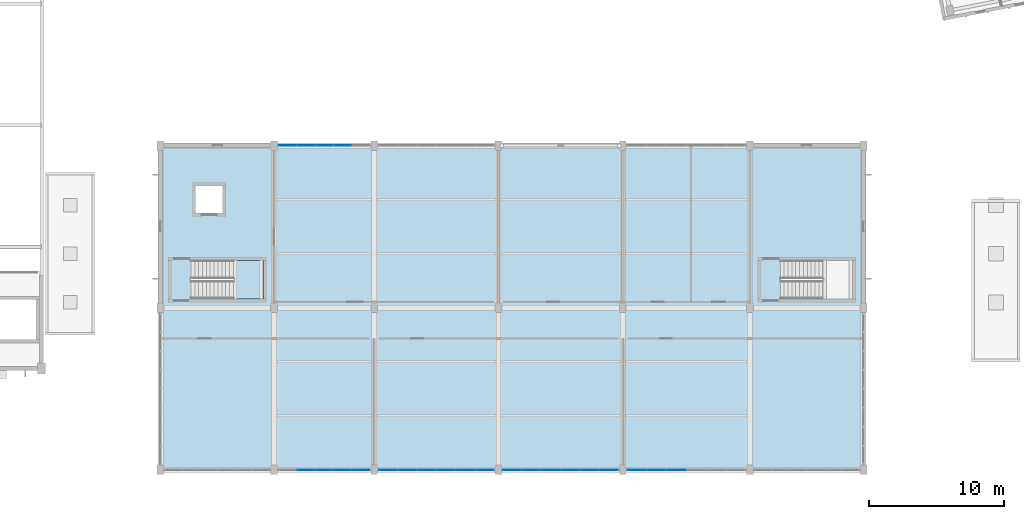
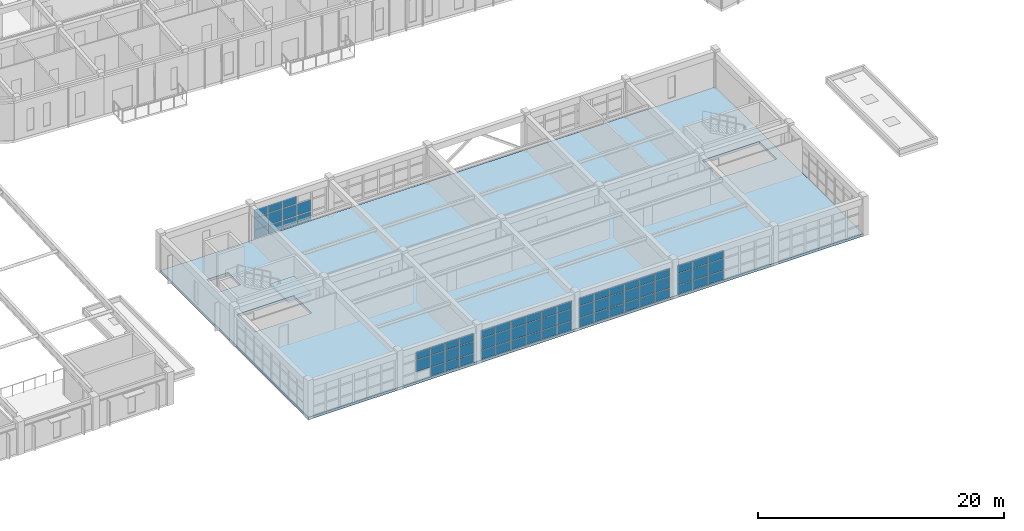
# One storey, part 69 of 150: 67 plates, 2 slabs, 6 elements without a shape of their own.
"""IFC4 building model written with IfcOpenShell, lengths in metres."""

from ifc_helpers import new_model, si_unit, direction, frame, origin, origin_2d, place, context, subcontext, project, spatial, polyline, rectangle, outline, extrude, material, layer, layer_set, type_object, element, aggregate, save


model = new_model("IFC4")

# Units and contexts
model_context = context("Model", 3, precision=1e-05, world=origin(), true_north=direction((0.0, 1.0)))
body_context = subcontext(model_context, "Body", "Model", "MODEL_VIEW")
ifc_project = project(units=[si_unit("LENGTHUNIT", "METRE"), si_unit("AREAUNIT", "SQUARE_METRE"), si_unit("VOLUMEUNIT", "CUBIC_METRE"), si_unit("PLANEANGLEUNIT", "RADIAN"), si_unit("MASSUNIT", "GRAM", prefix="KILO")], contexts=[model_context])

# Site, building, storey
site_placement = place(None, origin())
site = spatial("IfcSite", under=ifc_project, at=site_placement, CompositionType="ELEMENT")
building_placement = place(site_placement, origin())
building = spatial("IfcBuilding", under=site, at=building_placement, Name="Kestramere Prow Commons", CompositionType="ELEMENT")
storey_placement = place(building_placement, frame((0.0, 0.0, 4.5)))
storey = spatial("IfcBuildingStorey", under=building, at=storey_placement, Name="L01", CompositionType="ELEMENT", Elevation=4.5)

# Curtain wall, plates
ifc_material_1 = material(Name="Anodised Aluminium and Low-E Glass", Category="aluminium")
curtain_wall_type_1 = type_object("IfcCurtainWallType", Name="CW-24 Glazed Curtain Wall 6800x2990", PredefinedType="USERDEFINED", material=ifc_material_1)
curtain_wall_1_placement = place(storey_placement, origin())
curtain_wall_1 = element("IfcCurtainWall", 1, at=curtain_wall_1_placement, inside=storey, type_object=curtain_wall_type_1, Name="Market L01 South Shopfront 2", ObjectType="GLAZED CURTAIN WALL", PredefinedType="USERDEFINED")
ifc_material_2 = material(Name="Low-E Laminated Double Glazing", Category="glass")
ifc_layer_1 = layer(ifc_material_2, 0.028076171875)
ifc_layer_set_1 = layer_set([ifc_layer_1], Name="Low-E Laminated Double Glazing")
plate_type = type_object("IfcPlateType", Name="CW-PNL-28", PredefinedType="CURTAIN_PANEL", material=ifc_layer_set_1)
plate_1_placement = place(storey_placement, frame((74.8037109375, 0.0, 0.06494140625), z_axis=(0.0, 0.0, 1.0), x_axis=(-1.0, 0.0, 0.0)))
plate_1 = element("IfcPlate", 2, at=plate_1_placement, type_object=plate_type, Name="CW-24 panel 1.1", PredefinedType="CURTAIN_PANEL", context=body_context, shape_type="SweptSolid", body=[
    extrude(rectangle(XDim=1.262451171875, YDim=0.028076171875, at=origin_2d()), origin(), (0.0, 0.0, 1.0), 0.8525390625),
])
plate_2_placement = place(storey_placement, frame((74.8037109375, 0.0, 0.982421875), z_axis=(0.0, 0.0, 1.0), x_axis=(-1.0, 0.0, 0.0)))
plate_2 = element("IfcPlate", 3, at=plate_2_placement, type_object=plate_type, Name="CW-24 panel 1.2", PredefinedType="CURTAIN_PANEL", context=body_context, shape_type="SweptSolid", body=[
    extrude(rectangle(XDim=1.262451171875, YDim=0.028076171875, at=origin_2d()), origin(), (0.0, 0.0, 1.0), 1.125),
])
plate_3_placement = place(storey_placement, frame((74.8037109375, 0.0, 2.172607421875), z_axis=(0.0, 0.0, 1.0), x_axis=(-1.0, 0.0, 0.0)))
plate_3 = element("IfcPlate", 4, at=plate_3_placement, type_object=plate_type, Name="CW-24 panel 1.3", PredefinedType="CURTAIN_PANEL", context=body_context, shape_type="SweptSolid", body=[
    extrude(rectangle(XDim=1.262451171875, YDim=0.028076171875, at=origin_2d()), origin(), (0.0, 0.0, 1.0), 0.75244140625),
])
plate_4_placement = place(storey_placement, frame((73.4599609375, 0.0, 0.06494140625), z_axis=(0.0, 0.0, 1.0), x_axis=(-1.0, 0.0, 0.0)))
plate_4 = element("IfcPlate", 5, at=plate_4_placement, type_object=plate_type, Name="CW-24 panel 2.1", PredefinedType="CURTAIN_PANEL", context=body_context, shape_type="SweptSolid", body=[
    extrude(rectangle(XDim=1.294921875, YDim=0.028076171875, at=origin_2d()), origin(), (0.0, 0.0, 1.0), 0.8525390625),
])
plate_5_placement = place(storey_placement, frame((73.4599609375, 0.0, 0.982421875), z_axis=(0.0, 0.0, 1.0), x_axis=(-1.0, 0.0, 0.0)))
plate_5 = element("IfcPlate", 6, at=plate_5_placement, type_object=plate_type, Name="CW-24 panel 2.2", PredefinedType="CURTAIN_PANEL", context=body_context, shape_type="SweptSolid", body=[
    extrude(rectangle(XDim=1.294921875, YDim=0.028076171875, at=origin_2d()), origin(), (0.0, 0.0, 1.0), 1.125),
])
plate_6_placement = place(storey_placement, frame((73.4599609375, 0.0, 2.172607421875), z_axis=(0.0, 0.0, 1.0), x_axis=(-1.0, 0.0, 0.0)))
plate_6 = element("IfcPlate", 7, at=plate_6_placement, type_object=plate_type, Name="CW-24 panel 2.3", PredefinedType="CURTAIN_PANEL", context=body_context, shape_type="SweptSolid", body=[
    extrude(rectangle(XDim=1.294921875, YDim=0.028076171875, at=origin_2d()), origin(), (0.0, 0.0, 1.0), 0.75244140625),
])
plate_7_placement = place(storey_placement, frame((72.10009765625, 0.0, 0.06494140625), z_axis=(0.0, 0.0, 1.0), x_axis=(-1.0, 0.0, 0.0)))
plate_7 = element("IfcPlate", 8, at=plate_7_placement, type_object=plate_type, Name="CW-24 panel 3.1", PredefinedType="CURTAIN_PANEL", context=body_context, shape_type="SweptSolid", body=[
    extrude(rectangle(XDim=1.294921875, YDim=0.028076171875, at=origin_2d()), origin(), (0.0, 0.0, 1.0), 0.8525390625),
])
plate_8_placement = place(storey_placement, frame((72.10009765625, 0.0, 0.982421875), z_axis=(0.0, 0.0, 1.0), x_axis=(-1.0, 0.0, 0.0)))
plate_8 = element("IfcPlate", 9, at=plate_8_placement, type_object=plate_type, Name="CW-24 panel 3.2", PredefinedType="CURTAIN_PANEL", context=body_context, shape_type="SweptSolid", body=[
    extrude(rectangle(XDim=1.294921875, YDim=0.028076171875, at=origin_2d()), origin(), (0.0, 0.0, 1.0), 1.125),
])
plate_9_placement = place(storey_placement, frame((72.10009765625, 0.0, 2.172607421875), z_axis=(0.0, 0.0, 1.0), x_axis=(-1.0, 0.0, 0.0)))
plate_9 = element("IfcPlate", 10, at=plate_9_placement, type_object=plate_type, Name="CW-24 panel 3.3", PredefinedType="CURTAIN_PANEL", context=body_context, shape_type="SweptSolid", body=[
    extrude(rectangle(XDim=1.294921875, YDim=0.028076171875, at=origin_2d()), origin(), (0.0, 0.0, 1.0), 0.75244140625),
])
plate_10_placement = place(storey_placement, frame((70.739990234375, 0.0, 0.982421875), z_axis=(0.0, 0.0, 1.0), x_axis=(-1.0, 0.0, 0.0)))
plate_10 = element("IfcPlate", 11, at=plate_10_placement, type_object=plate_type, Name="CW-24 panel 4.2", PredefinedType="CURTAIN_PANEL", context=body_context, shape_type="SweptSolid", body=[
    extrude(rectangle(XDim=1.294921875, YDim=0.028076171875, at=origin_2d()), origin(), (0.0, 0.0, 1.0), 1.125),
])
plate_11_placement = place(storey_placement, frame((70.739990234375, 0.0, 2.172607421875), z_axis=(0.0, 0.0, 1.0), x_axis=(-1.0, 0.0, 0.0)))
plate_11 = element("IfcPlate", 12, at=plate_11_placement, type_object=plate_type, Name="CW-24 panel 4.3", PredefinedType="CURTAIN_PANEL", context=body_context, shape_type="SweptSolid", body=[
    extrude(rectangle(XDim=1.294921875, YDim=0.028076171875, at=origin_2d()), origin(), (0.0, 0.0, 1.0), 0.75244140625),
])
aggregate(curtain_wall_1, [plate_1, plate_2, plate_3, plate_4, plate_5, plate_6, plate_7, plate_8, plate_9, plate_10, plate_11])

curtain_wall_2_placement = place(storey_placement, origin())
curtain_wall_2 = element("IfcCurtainWall", 13, at=curtain_wall_2_placement, inside=storey, type_object=curtain_wall_type_1, Name="Market L01 Courtyard Shopfront 2", ObjectType="GLAZED CURTAIN WALL", PredefinedType="USERDEFINED")
plate_12_placement = place(storey_placement, frame((69.396240234375, 24.0, 0.06494140625), z_axis=(0.0, 0.0, 1.0), x_axis=(1.0, 0.0, 0.0)))
plate_12 = element("IfcPlate", 14, at=plate_12_placement, type_object=plate_type, Name="CW-24 panel 1.1", PredefinedType="CURTAIN_PANEL", context=body_context, shape_type="SweptSolid", body=[
    extrude(rectangle(XDim=1.262451171875, YDim=0.028076171875, at=origin_2d()), origin(), (0.0, 0.0, 1.0), 0.8525390625),
])
plate_13_placement = place(storey_placement, frame((69.396240234375, 24.0, 0.982421875), z_axis=(0.0, 0.0, 1.0), x_axis=(1.0, 0.0, 0.0)))
plate_13 = element("IfcPlate", 15, at=plate_13_placement, type_object=plate_type, Name="CW-24 panel 1.2", PredefinedType="CURTAIN_PANEL", context=body_context, shape_type="SweptSolid", body=[
    extrude(rectangle(XDim=1.262451171875, YDim=0.028076171875, at=origin_2d()), origin(), (0.0, 0.0, 1.0), 1.125),
])
plate_14_placement = place(storey_placement, frame((69.396240234375, 24.0, 2.172607421875), z_axis=(0.0, 0.0, 1.0), x_axis=(1.0, 0.0, 0.0)))
plate_14 = element("IfcPlate", 16, at=plate_14_placement, type_object=plate_type, Name="CW-24 panel 1.3", PredefinedType="CURTAIN_PANEL", context=body_context, shape_type="SweptSolid", body=[
    extrude(rectangle(XDim=1.262451171875, YDim=0.028076171875, at=origin_2d()), origin(), (0.0, 0.0, 1.0), 0.75244140625),
])
plate_15_placement = place(storey_placement, frame((70.739990234375, 24.0, 0.06494140625), z_axis=(0.0, 0.0, 1.0), x_axis=(1.0, 0.0, 0.0)))
plate_15 = element("IfcPlate", 17, at=plate_15_placement, type_object=plate_type, Name="CW-24 panel 2.1", PredefinedType="CURTAIN_PANEL", context=body_context, shape_type="SweptSolid", body=[
    extrude(rectangle(XDim=1.294921875, YDim=0.028076171875, at=origin_2d()), origin(), (0.0, 0.0, 1.0), 0.8525390625),
])
plate_16_placement = place(storey_placement, frame((70.739990234375, 24.0, 0.982421875), z_axis=(0.0, 0.0, 1.0), x_axis=(1.0, 0.0, 0.0)))
plate_16 = element("IfcPlate", 18, at=plate_16_placement, type_object=plate_type, Name="CW-24 panel 2.2", PredefinedType="CURTAIN_PANEL", context=body_context, shape_type="SweptSolid", body=[
    extrude(rectangle(XDim=1.294921875, YDim=0.028076171875, at=origin_2d()), origin(), (0.0, 0.0, 1.0), 1.125),
])
plate_17_placement = place(storey_placement, frame((70.739990234375, 24.0, 2.172607421875), z_axis=(0.0, 0.0, 1.0), x_axis=(1.0, 0.0, 0.0)))
plate_17 = element("IfcPlate", 19, at=plate_17_placement, type_object=plate_type, Name="CW-24 panel 2.3", PredefinedType="CURTAIN_PANEL", context=body_context, shape_type="SweptSolid", body=[
    extrude(rectangle(XDim=1.294921875, YDim=0.028076171875, at=origin_2d()), origin(), (0.0, 0.0, 1.0), 0.75244140625),
])
plate_18_placement = place(storey_placement, frame((72.10009765625, 24.0, 0.06494140625), z_axis=(0.0, 0.0, 1.0), x_axis=(1.0, 0.0, 0.0)))
plate_18 = element("IfcPlate", 20, at=plate_18_placement, type_object=plate_type, Name="CW-24 panel 3.1", PredefinedType="CURTAIN_PANEL", context=body_context, shape_type="SweptSolid", body=[
    extrude(rectangle(XDim=1.294921875, YDim=0.028076171875, at=origin_2d()), origin(), (0.0, 0.0, 1.0), 0.8525390625),
])
plate_19_placement = place(storey_placement, frame((72.10009765625, 24.0, 0.982421875), z_axis=(0.0, 0.0, 1.0), x_axis=(1.0, 0.0, 0.0)))
plate_19 = element("IfcPlate", 21, at=plate_19_placement, type_object=plate_type, Name="CW-24 panel 3.2", PredefinedType="CURTAIN_PANEL", context=body_context, shape_type="SweptSolid", body=[
    extrude(rectangle(XDim=1.294921875, YDim=0.028076171875, at=origin_2d()), origin(), (0.0, 0.0, 1.0), 1.125),
])
plate_20_placement = place(storey_placement, frame((72.10009765625, 24.0, 2.172607421875), z_axis=(0.0, 0.0, 1.0), x_axis=(1.0, 0.0, 0.0)))
plate_20 = element("IfcPlate", 22, at=plate_20_placement, type_object=plate_type, Name="CW-24 panel 3.3", PredefinedType="CURTAIN_PANEL", context=body_context, shape_type="SweptSolid", body=[
    extrude(rectangle(XDim=1.294921875, YDim=0.028076171875, at=origin_2d()), origin(), (0.0, 0.0, 1.0), 0.75244140625),
])
plate_21_placement = place(storey_placement, frame((73.4599609375, 24.0, 0.06494140625), z_axis=(0.0, 0.0, 1.0), x_axis=(1.0, 0.0, 0.0)))
plate_21 = element("IfcPlate", 23, at=plate_21_placement, type_object=plate_type, Name="CW-24 panel 4.1", PredefinedType="CURTAIN_PANEL", context=body_context, shape_type="SweptSolid", body=[
    extrude(rectangle(XDim=1.294921875, YDim=0.028076171875, at=origin_2d()), origin(), (0.0, 0.0, 1.0), 0.8525390625),
])
plate_22_placement = place(storey_placement, frame((73.4599609375, 24.0, 0.982421875), z_axis=(0.0, 0.0, 1.0), x_axis=(1.0, 0.0, 0.0)))
plate_22 = element("IfcPlate", 24, at=plate_22_placement, type_object=plate_type, Name="CW-24 panel 4.2", PredefinedType="CURTAIN_PANEL", context=body_context, shape_type="SweptSolid", body=[
    extrude(rectangle(XDim=1.294921875, YDim=0.028076171875, at=origin_2d()), origin(), (0.0, 0.0, 1.0), 1.125),
])
aggregate(curtain_wall_2, [plate_12, plate_13, plate_14, plate_15, plate_16, plate_17, plate_18, plate_19, plate_20, plate_21, plate_22])

curtain_wall_type_2 = type_object("IfcCurtainWallType", Name="CW-25 Glazed Curtain Wall 8600x2990", PredefinedType="USERDEFINED", material=ifc_material_1)
curtain_wall_3_placement = place(storey_placement, origin())
curtain_wall_3 = element("IfcCurtainWall", 25, at=curtain_wall_3_placement, inside=storey, type_object=curtain_wall_type_2, Name="Market L01 South Shopfront 3", ObjectType="GLAZED CURTAIN WALL", PredefinedType="USERDEFINED")
plate_23_placement = place(storey_placement, frame((83.967041015625, 0.0, 0.06494140625), z_axis=(0.0, 0.0, 1.0), x_axis=(-1.0, 0.0, 0.0)))
plate_23 = element("IfcPlate", 26, at=plate_23_placement, type_object=plate_type, Name="CW-25 panel 1.1", PredefinedType="CURTAIN_PANEL", context=body_context, shape_type="SweptSolid", body=[
    extrude(rectangle(XDim=1.3359375, YDim=0.028076171875, at=origin_2d()), origin(), (0.0, 0.0, 1.0), 0.8525390625),
])
plate_24_placement = place(storey_placement, frame((83.967041015625, 0.0, 0.982421875), z_axis=(0.0, 0.0, 1.0), x_axis=(-1.0, 0.0, 0.0)))
plate_24 = element("IfcPlate", 27, at=plate_24_placement, type_object=plate_type, Name="CW-25 panel 1.2", PredefinedType="CURTAIN_PANEL", context=body_context, shape_type="SweptSolid", body=[
    extrude(rectangle(XDim=1.3359375, YDim=0.028076171875, at=origin_2d()), origin(), (0.0, 0.0, 1.0), 1.125),
])
plate_25_placement = place(storey_placement, frame((83.967041015625, 0.0, 2.172607421875), z_axis=(0.0, 0.0, 1.0), x_axis=(-1.0, 0.0, 0.0)))
plate_25 = element("IfcPlate", 28, at=plate_25_placement, type_object=plate_type, Name="CW-25 panel 1.3", PredefinedType="CURTAIN_PANEL", context=body_context, shape_type="SweptSolid", body=[
    extrude(rectangle(XDim=1.3359375, YDim=0.028076171875, at=origin_2d()), origin(), (0.0, 0.0, 1.0), 0.75244140625),
])
plate_26_placement = place(storey_placement, frame((82.550048828125, 0.0, 0.06494140625), z_axis=(0.0, 0.0, 1.0), x_axis=(-1.0, 0.0, 0.0)))
plate_26 = element("IfcPlate", 29, at=plate_26_placement, type_object=plate_type, Name="CW-25 panel 2.1", PredefinedType="CURTAIN_PANEL", context=body_context, shape_type="SweptSolid", body=[
    extrude(rectangle(XDim=1.368408203125, YDim=0.028076171875, at=origin_2d()), origin(), (0.0, 0.0, 1.0), 0.8525390625),
])
plate_27_placement = place(storey_placement, frame((82.550048828125, 0.0, 0.982421875), z_axis=(0.0, 0.0, 1.0), x_axis=(-1.0, 0.0, 0.0)))
plate_27 = element("IfcPlate", 30, at=plate_27_placement, type_object=plate_type, Name="CW-25 panel 2.2", PredefinedType="CURTAIN_PANEL", context=body_context, shape_type="SweptSolid", body=[
    extrude(rectangle(XDim=1.368408203125, YDim=0.028076171875, at=origin_2d()), origin(), (0.0, 0.0, 1.0), 1.125),
])
plate_28_placement = place(storey_placement, frame((82.550048828125, 0.0, 2.172607421875), z_axis=(0.0, 0.0, 1.0), x_axis=(-1.0, 0.0, 0.0)))
plate_28 = element("IfcPlate", 31, at=plate_28_placement, type_object=plate_type, Name="CW-25 panel 2.3", PredefinedType="CURTAIN_PANEL", context=body_context, shape_type="SweptSolid", body=[
    extrude(rectangle(XDim=1.368408203125, YDim=0.028076171875, at=origin_2d()), origin(), (0.0, 0.0, 1.0), 0.75244140625),
])
plate_29_placement = place(storey_placement, frame((81.11669921875, 0.0, 0.06494140625), z_axis=(0.0, 0.0, 1.0), x_axis=(-1.0, 0.0, 0.0)))
plate_29 = element("IfcPlate", 32, at=plate_29_placement, type_object=plate_type, Name="CW-25 panel 3.1", PredefinedType="CURTAIN_PANEL", context=body_context, shape_type="SweptSolid", body=[
    extrude(rectangle(XDim=1.368408203125, YDim=0.028076171875, at=origin_2d()), origin(), (0.0, 0.0, 1.0), 0.8525390625),
])
plate_30_placement = place(storey_placement, frame((81.11669921875, 0.0, 0.982421875), z_axis=(0.0, 0.0, 1.0), x_axis=(-1.0, 0.0, 0.0)))
plate_30 = element("IfcPlate", 33, at=plate_30_placement, type_object=plate_type, Name="CW-25 panel 3.2", PredefinedType="CURTAIN_PANEL", context=body_context, shape_type="SweptSolid", body=[
    extrude(rectangle(XDim=1.368408203125, YDim=0.028076171875, at=origin_2d()), origin(), (0.0, 0.0, 1.0), 1.125),
])
plate_31_placement = place(storey_placement, frame((81.11669921875, 0.0, 2.172607421875), z_axis=(0.0, 0.0, 1.0), x_axis=(-1.0, 0.0, 0.0)))
plate_31 = element("IfcPlate", 34, at=plate_31_placement, type_object=plate_type, Name="CW-25 panel 3.3", PredefinedType="CURTAIN_PANEL", context=body_context, shape_type="SweptSolid", body=[
    extrude(rectangle(XDim=1.368408203125, YDim=0.028076171875, at=origin_2d()), origin(), (0.0, 0.0, 1.0), 0.75244140625),
])
plate_32_placement = place(storey_placement, frame((79.683349609375, 0.0, 0.06494140625), z_axis=(0.0, 0.0, 1.0), x_axis=(-1.0, 0.0, 0.0)))
plate_32 = element("IfcPlate", 35, at=plate_32_placement, type_object=plate_type, Name="CW-25 panel 4.1", PredefinedType="CURTAIN_PANEL", context=body_context, shape_type="SweptSolid", body=[
    extrude(rectangle(XDim=1.368408203125, YDim=0.028076171875, at=origin_2d()), origin(), (0.0, 0.0, 1.0), 0.8525390625),
])
plate_33_placement = place(storey_placement, frame((79.683349609375, 0.0, 0.982421875), z_axis=(0.0, 0.0, 1.0), x_axis=(-1.0, 0.0, 0.0)))
plate_33 = element("IfcPlate", 36, at=plate_33_placement, type_object=plate_type, Name="CW-25 panel 4.2", PredefinedType="CURTAIN_PANEL", context=body_context, shape_type="SweptSolid", body=[
    extrude(rectangle(XDim=1.368408203125, YDim=0.028076171875, at=origin_2d()), origin(), (0.0, 0.0, 1.0), 1.125),
])
plate_34_placement = place(storey_placement, frame((79.683349609375, 0.0, 2.172607421875), z_axis=(0.0, 0.0, 1.0), x_axis=(-1.0, 0.0, 0.0)))
plate_34 = element("IfcPlate", 37, at=plate_34_placement, type_object=plate_type, Name="CW-25 panel 4.3", PredefinedType="CURTAIN_PANEL", context=body_context, shape_type="SweptSolid", body=[
    extrude(rectangle(XDim=1.368408203125, YDim=0.028076171875, at=origin_2d()), origin(), (0.0, 0.0, 1.0), 0.75244140625),
])
plate_35_placement = place(storey_placement, frame((78.25, 0.0, 0.06494140625), z_axis=(0.0, 0.0, 1.0), x_axis=(-1.0, 0.0, 0.0)))
plate_35 = element("IfcPlate", 38, at=plate_35_placement, type_object=plate_type, Name="CW-25 panel 5.1", PredefinedType="CURTAIN_PANEL", context=body_context, shape_type="SweptSolid", body=[
    extrude(rectangle(XDim=1.368408203125, YDim=0.028076171875, at=origin_2d()), origin(), (0.0, 0.0, 1.0), 0.8525390625),
])
plate_36_placement = place(storey_placement, frame((78.25, 0.0, 0.982421875), z_axis=(0.0, 0.0, 1.0), x_axis=(-1.0, 0.0, 0.0)))
plate_36 = element("IfcPlate", 39, at=plate_36_placement, type_object=plate_type, Name="CW-25 panel 5.2", PredefinedType="CURTAIN_PANEL", context=body_context, shape_type="SweptSolid", body=[
    extrude(rectangle(XDim=1.368408203125, YDim=0.028076171875, at=origin_2d()), origin(), (0.0, 0.0, 1.0), 1.125),
])
plate_37_placement = place(storey_placement, frame((78.25, 0.0, 2.172607421875), z_axis=(0.0, 0.0, 1.0), x_axis=(-1.0, 0.0, 0.0)))
plate_37 = element("IfcPlate", 40, at=plate_37_placement, type_object=plate_type, Name="CW-25 panel 5.3", PredefinedType="CURTAIN_PANEL", context=body_context, shape_type="SweptSolid", body=[
    extrude(rectangle(XDim=1.368408203125, YDim=0.028076171875, at=origin_2d()), origin(), (0.0, 0.0, 1.0), 0.75244140625),
])
plate_38_placement = place(storey_placement, frame((76.8330078125, 0.0, 0.06494140625), z_axis=(0.0, 0.0, 1.0), x_axis=(-1.0, 0.0, 0.0)))
plate_38 = element("IfcPlate", 41, at=plate_38_placement, type_object=plate_type, Name="CW-25 panel 6.1", PredefinedType="CURTAIN_PANEL", context=body_context, shape_type="SweptSolid", body=[
    extrude(rectangle(XDim=1.3359375, YDim=0.028076171875, at=origin_2d()), origin(), (0.0, 0.0, 1.0), 0.8525390625),
])
plate_39_placement = place(storey_placement, frame((76.8330078125, 0.0, 0.982421875), z_axis=(0.0, 0.0, 1.0), x_axis=(-1.0, 0.0, 0.0)))
plate_39 = element("IfcPlate", 42, at=plate_39_placement, type_object=plate_type, Name="CW-25 panel 6.2", PredefinedType="CURTAIN_PANEL", context=body_context, shape_type="SweptSolid", body=[
    extrude(rectangle(XDim=1.3359375, YDim=0.028076171875, at=origin_2d()), origin(), (0.0, 0.0, 1.0), 1.125),
])
plate_40_placement = place(storey_placement, frame((76.8330078125, 0.0, 2.172607421875), z_axis=(0.0, 0.0, 1.0), x_axis=(-1.0, 0.0, 0.0)))
plate_40 = element("IfcPlate", 43, at=plate_40_placement, type_object=plate_type, Name="CW-25 panel 6.3", PredefinedType="CURTAIN_PANEL", context=body_context, shape_type="SweptSolid", body=[
    extrude(rectangle(XDim=1.3359375, YDim=0.028076171875, at=origin_2d()), origin(), (0.0, 0.0, 1.0), 0.75244140625),
])
aggregate(curtain_wall_3, [plate_23, plate_24, plate_25, plate_26, plate_27, plate_28, plate_29, plate_30, plate_31, plate_32, plate_33, plate_34, plate_35, plate_36, plate_37, plate_38, plate_39, plate_40])

curtain_wall_4_placement = place(storey_placement, origin())
curtain_wall_4 = element("IfcCurtainWall", 44, at=curtain_wall_4_placement, inside=storey, type_object=curtain_wall_type_2, Name="Market L01 South Shopfront 4", ObjectType="GLAZED CURTAIN WALL", PredefinedType="USERDEFINED")
plate_41_placement = place(storey_placement, frame((93.1669921875, 0.0, 0.06494140625), z_axis=(0.0, 0.0, 1.0), x_axis=(-1.0, 0.0, 0.0)))
plate_41 = element("IfcPlate", 45, at=plate_41_placement, type_object=plate_type, Name="CW-25 panel 1.1", PredefinedType="CURTAIN_PANEL", context=body_context, shape_type="SweptSolid", body=[
    extrude(rectangle(XDim=1.3359375, YDim=0.028076171875, at=origin_2d()), origin(), (0.0, 0.0, 1.0), 0.8525390625),
])
plate_42_placement = place(storey_placement, frame((93.1669921875, 0.0, 0.982421875), z_axis=(0.0, 0.0, 1.0), x_axis=(-1.0, 0.0, 0.0)))
plate_42 = element("IfcPlate", 46, at=plate_42_placement, type_object=plate_type, Name="CW-25 panel 1.2", PredefinedType="CURTAIN_PANEL", context=body_context, shape_type="SweptSolid", body=[
    extrude(rectangle(XDim=1.3359375, YDim=0.028076171875, at=origin_2d()), origin(), (0.0, 0.0, 1.0), 1.125),
])
plate_43_placement = place(storey_placement, frame((93.1669921875, 0.0, 2.172607421875), z_axis=(0.0, 0.0, 1.0), x_axis=(-1.0, 0.0, 0.0)))
plate_43 = element("IfcPlate", 47, at=plate_43_placement, type_object=plate_type, Name="CW-25 panel 1.3", PredefinedType="CURTAIN_PANEL", context=body_context, shape_type="SweptSolid", body=[
    extrude(rectangle(XDim=1.3359375, YDim=0.028076171875, at=origin_2d()), origin(), (0.0, 0.0, 1.0), 0.75244140625),
])
plate_44_placement = place(storey_placement, frame((91.75, 0.0, 0.06494140625), z_axis=(0.0, 0.0, 1.0), x_axis=(-1.0, 0.0, 0.0)))
plate_44 = element("IfcPlate", 48, at=plate_44_placement, type_object=plate_type, Name="CW-25 panel 2.1", PredefinedType="CURTAIN_PANEL", context=body_context, shape_type="SweptSolid", body=[
    extrude(rectangle(XDim=1.368408203125, YDim=0.028076171875, at=origin_2d()), origin(), (0.0, 0.0, 1.0), 0.8525390625),
])
plate_45_placement = place(storey_placement, frame((91.75, 0.0, 0.982421875), z_axis=(0.0, 0.0, 1.0), x_axis=(-1.0, 0.0, 0.0)))
plate_45 = element("IfcPlate", 49, at=plate_45_placement, type_object=plate_type, Name="CW-25 panel 2.2", PredefinedType="CURTAIN_PANEL", context=body_context, shape_type="SweptSolid", body=[
    extrude(rectangle(XDim=1.368408203125, YDim=0.028076171875, at=origin_2d()), origin(), (0.0, 0.0, 1.0), 1.125),
])
plate_46_placement = place(storey_placement, frame((91.75, 0.0, 2.172607421875), z_axis=(0.0, 0.0, 1.0), x_axis=(-1.0, 0.0, 0.0)))
plate_46 = element("IfcPlate", 50, at=plate_46_placement, type_object=plate_type, Name="CW-25 panel 2.3", PredefinedType="CURTAIN_PANEL", context=body_context, shape_type="SweptSolid", body=[
    extrude(rectangle(XDim=1.368408203125, YDim=0.028076171875, at=origin_2d()), origin(), (0.0, 0.0, 1.0), 0.75244140625),
])
plate_47_placement = place(storey_placement, frame((90.316650390625, 0.0, 0.06494140625), z_axis=(0.0, 0.0, 1.0), x_axis=(-1.0, 0.0, 0.0)))
plate_47 = element("IfcPlate", 51, at=plate_47_placement, type_object=plate_type, Name="CW-25 panel 3.1", PredefinedType="CURTAIN_PANEL", context=body_context, shape_type="SweptSolid", body=[
    extrude(rectangle(XDim=1.368408203125, YDim=0.028076171875, at=origin_2d()), origin(), (0.0, 0.0, 1.0), 0.8525390625),
])
plate_48_placement = place(storey_placement, frame((90.316650390625, 0.0, 0.982421875), z_axis=(0.0, 0.0, 1.0), x_axis=(-1.0, 0.0, 0.0)))
plate_48 = element("IfcPlate", 52, at=plate_48_placement, type_object=plate_type, Name="CW-25 panel 3.2", PredefinedType="CURTAIN_PANEL", context=body_context, shape_type="SweptSolid", body=[
    extrude(rectangle(XDim=1.368408203125, YDim=0.028076171875, at=origin_2d()), origin(), (0.0, 0.0, 1.0), 1.125),
])
plate_49_placement = place(storey_placement, frame((90.316650390625, 0.0, 2.172607421875), z_axis=(0.0, 0.0, 1.0), x_axis=(-1.0, 0.0, 0.0)))
plate_49 = element("IfcPlate", 53, at=plate_49_placement, type_object=plate_type, Name="CW-25 panel 3.3", PredefinedType="CURTAIN_PANEL", context=body_context, shape_type="SweptSolid", body=[
    extrude(rectangle(XDim=1.368408203125, YDim=0.028076171875, at=origin_2d()), origin(), (0.0, 0.0, 1.0), 0.75244140625),
])
plate_50_placement = place(storey_placement, frame((88.88330078125, 0.0, 0.06494140625), z_axis=(0.0, 0.0, 1.0), x_axis=(-1.0, 0.0, 0.0)))
plate_50 = element("IfcPlate", 54, at=plate_50_placement, type_object=plate_type, Name="CW-25 panel 4.1", PredefinedType="CURTAIN_PANEL", context=body_context, shape_type="SweptSolid", body=[
    extrude(rectangle(XDim=1.368408203125, YDim=0.028076171875, at=origin_2d()), origin(), (0.0, 0.0, 1.0), 0.8525390625),
])
plate_51_placement = place(storey_placement, frame((88.88330078125, 0.0, 0.982421875), z_axis=(0.0, 0.0, 1.0), x_axis=(-1.0, 0.0, 0.0)))
plate_51 = element("IfcPlate", 55, at=plate_51_placement, type_object=plate_type, Name="CW-25 panel 4.2", PredefinedType="CURTAIN_PANEL", context=body_context, shape_type="SweptSolid", body=[
    extrude(rectangle(XDim=1.368408203125, YDim=0.028076171875, at=origin_2d()), origin(), (0.0, 0.0, 1.0), 1.125),
])
plate_52_placement = place(storey_placement, frame((88.88330078125, 0.0, 2.172607421875), z_axis=(0.0, 0.0, 1.0), x_axis=(-1.0, 0.0, 0.0)))
plate_52 = element("IfcPlate", 56, at=plate_52_placement, type_object=plate_type, Name="CW-25 panel 4.3", PredefinedType="CURTAIN_PANEL", context=body_context, shape_type="SweptSolid", body=[
    extrude(rectangle(XDim=1.368408203125, YDim=0.028076171875, at=origin_2d()), origin(), (0.0, 0.0, 1.0), 0.75244140625),
])
plate_53_placement = place(storey_placement, frame((87.449951171875, 0.0, 0.06494140625), z_axis=(0.0, 0.0, 1.0), x_axis=(-1.0, 0.0, 0.0)))
plate_53 = element("IfcPlate", 57, at=plate_53_placement, type_object=plate_type, Name="CW-25 panel 5.1", PredefinedType="CURTAIN_PANEL", context=body_context, shape_type="SweptSolid", body=[
    extrude(rectangle(XDim=1.368408203125, YDim=0.028076171875, at=origin_2d()), origin(), (0.0, 0.0, 1.0), 0.8525390625),
])
plate_54_placement = place(storey_placement, frame((87.449951171875, 0.0, 0.982421875), z_axis=(0.0, 0.0, 1.0), x_axis=(-1.0, 0.0, 0.0)))
plate_54 = element("IfcPlate", 58, at=plate_54_placement, type_object=plate_type, Name="CW-25 panel 5.2", PredefinedType="CURTAIN_PANEL", context=body_context, shape_type="SweptSolid", body=[
    extrude(rectangle(XDim=1.368408203125, YDim=0.028076171875, at=origin_2d()), origin(), (0.0, 0.0, 1.0), 1.125),
])
plate_55_placement = place(storey_placement, frame((87.449951171875, 0.0, 2.172607421875), z_axis=(0.0, 0.0, 1.0), x_axis=(-1.0, 0.0, 0.0)))
plate_55 = element("IfcPlate", 59, at=plate_55_placement, type_object=plate_type, Name="CW-25 panel 5.3", PredefinedType="CURTAIN_PANEL", context=body_context, shape_type="SweptSolid", body=[
    extrude(rectangle(XDim=1.368408203125, YDim=0.028076171875, at=origin_2d()), origin(), (0.0, 0.0, 1.0), 0.75244140625),
])
plate_56_placement = place(storey_placement, frame((86.032958984375, 0.0, 0.06494140625), z_axis=(0.0, 0.0, 1.0), x_axis=(-1.0, 0.0, 0.0)))
plate_56 = element("IfcPlate", 60, at=plate_56_placement, type_object=plate_type, Name="CW-25 panel 6.1", PredefinedType="CURTAIN_PANEL", context=body_context, shape_type="SweptSolid", body=[
    extrude(rectangle(XDim=1.3359375, YDim=0.028076171875, at=origin_2d()), origin(), (0.0, 0.0, 1.0), 0.8525390625),
])
plate_57_placement = place(storey_placement, frame((86.032958984375, 0.0, 0.982421875), z_axis=(0.0, 0.0, 1.0), x_axis=(-1.0, 0.0, 0.0)))
plate_57 = element("IfcPlate", 61, at=plate_57_placement, type_object=plate_type, Name="CW-25 panel 6.2", PredefinedType="CURTAIN_PANEL", context=body_context, shape_type="SweptSolid", body=[
    extrude(rectangle(XDim=1.3359375, YDim=0.028076171875, at=origin_2d()), origin(), (0.0, 0.0, 1.0), 1.125),
])
plate_58_placement = place(storey_placement, frame((86.032958984375, 0.0, 2.172607421875), z_axis=(0.0, 0.0, 1.0), x_axis=(-1.0, 0.0, 0.0)))
plate_58 = element("IfcPlate", 62, at=plate_58_placement, type_object=plate_type, Name="CW-25 panel 6.3", PredefinedType="CURTAIN_PANEL", context=body_context, shape_type="SweptSolid", body=[
    extrude(rectangle(XDim=1.3359375, YDim=0.028076171875, at=origin_2d()), origin(), (0.0, 0.0, 1.0), 0.75244140625),
])
aggregate(curtain_wall_4, [plate_41, plate_42, plate_43, plate_44, plate_45, plate_46, plate_47, plate_48, plate_49, plate_50, plate_51, plate_52, plate_53, plate_54, plate_55, plate_56, plate_57, plate_58])

curtain_wall_type_3 = type_object("IfcCurtainWallType", Name="CW-26 Glazed Curtain Wall 8800x2990", PredefinedType="USERDEFINED", material=ifc_material_1)
curtain_wall_5_placement = place(storey_placement, origin())
curtain_wall_5 = element("IfcCurtainWall", 63, at=curtain_wall_5_placement, inside=storey, type_object=curtain_wall_type_3, Name="Market L01 South Shopfront 5", ObjectType="GLAZED CURTAIN WALL", PredefinedType="USERDEFINED")
plate_59_placement = place(storey_placement, frame((98.166748046875, 0.0, 0.06494140625), z_axis=(0.0, 0.0, 1.0), x_axis=(-1.0, 0.0, 0.0)))
plate_59 = element("IfcPlate", 64, at=plate_59_placement, type_object=plate_type, Name="CW-26 panel 4.1", PredefinedType="CURTAIN_PANEL", context=body_context, shape_type="SweptSolid", body=[
    extrude(rectangle(XDim=1.401611328125, YDim=0.028076171875, at=origin_2d()), origin(), (0.0, 0.0, 1.0), 0.8525390625),
])
plate_60_placement = place(storey_placement, frame((98.166748046875, 0.0, 0.982421875), z_axis=(0.0, 0.0, 1.0), x_axis=(-1.0, 0.0, 0.0)))
plate_60 = element("IfcPlate", 65, at=plate_60_placement, type_object=plate_type, Name="CW-26 panel 4.2", PredefinedType="CURTAIN_PANEL", context=body_context, shape_type="SweptSolid", body=[
    extrude(rectangle(XDim=1.401611328125, YDim=0.028076171875, at=origin_2d()), origin(), (0.0, 0.0, 1.0), 1.125),
])
plate_61_placement = place(storey_placement, frame((98.166748046875, 0.0, 2.172607421875), z_axis=(0.0, 0.0, 1.0), x_axis=(-1.0, 0.0, 0.0)))
plate_61 = element("IfcPlate", 66, at=plate_61_placement, type_object=plate_type, Name="CW-26 panel 4.3", PredefinedType="CURTAIN_PANEL", context=body_context, shape_type="SweptSolid", body=[
    extrude(rectangle(XDim=1.401611328125, YDim=0.028076171875, at=origin_2d()), origin(), (0.0, 0.0, 1.0), 0.75244140625),
])
plate_62_placement = place(storey_placement, frame((96.699951171875, 0.0, 0.06494140625), z_axis=(0.0, 0.0, 1.0), x_axis=(-1.0, 0.0, 0.0)))
plate_62 = element("IfcPlate", 67, at=plate_62_placement, type_object=plate_type, Name="CW-26 panel 5.1", PredefinedType="CURTAIN_PANEL", context=body_context, shape_type="SweptSolid", body=[
    extrude(rectangle(XDim=1.401611328125, YDim=0.028076171875, at=origin_2d()), origin(), (0.0, 0.0, 1.0), 0.8525390625),
])
plate_63_placement = place(storey_placement, frame((96.699951171875, 0.0, 0.982421875), z_axis=(0.0, 0.0, 1.0), x_axis=(-1.0, 0.0, 0.0)))
plate_63 = element("IfcPlate", 68, at=plate_63_placement, type_object=plate_type, Name="CW-26 panel 5.2", PredefinedType="CURTAIN_PANEL", context=body_context, shape_type="SweptSolid", body=[
    extrude(rectangle(XDim=1.401611328125, YDim=0.028076171875, at=origin_2d()), origin(), (0.0, 0.0, 1.0), 1.125),
])
plate_64_placement = place(storey_placement, frame((96.699951171875, 0.0, 2.172607421875), z_axis=(0.0, 0.0, 1.0), x_axis=(-1.0, 0.0, 0.0)))
plate_64 = element("IfcPlate", 69, at=plate_64_placement, type_object=plate_type, Name="CW-26 panel 5.3", PredefinedType="CURTAIN_PANEL", context=body_context, shape_type="SweptSolid", body=[
    extrude(rectangle(XDim=1.401611328125, YDim=0.028076171875, at=origin_2d()), origin(), (0.0, 0.0, 1.0), 0.75244140625),
])
plate_65_placement = place(storey_placement, frame((95.24951171875, 0.0, 0.06494140625), z_axis=(0.0, 0.0, 1.0), x_axis=(-1.0, 0.0, 0.0)))
plate_65 = element("IfcPlate", 70, at=plate_65_placement, type_object=plate_type, Name="CW-26 panel 6.1", PredefinedType="CURTAIN_PANEL", context=body_context, shape_type="SweptSolid", body=[
    extrude(rectangle(XDim=1.369140625, YDim=0.028076171875, at=origin_2d()), origin(), (0.0, 0.0, 1.0), 0.8525390625),
])
plate_66_placement = place(storey_placement, frame((95.24951171875, 0.0, 0.982421875), z_axis=(0.0, 0.0, 1.0), x_axis=(-1.0, 0.0, 0.0)))
plate_66 = element("IfcPlate", 71, at=plate_66_placement, type_object=plate_type, Name="CW-26 panel 6.2", PredefinedType="CURTAIN_PANEL", context=body_context, shape_type="SweptSolid", body=[
    extrude(rectangle(XDim=1.369140625, YDim=0.028076171875, at=origin_2d()), origin(), (0.0, 0.0, 1.0), 1.125),
])
plate_67_placement = place(storey_placement, frame((95.24951171875, 0.0, 2.172607421875), z_axis=(0.0, 0.0, 1.0), x_axis=(-1.0, 0.0, 0.0)))
plate_67 = element("IfcPlate", 72, at=plate_67_placement, type_object=plate_type, Name="CW-26 panel 6.3", PredefinedType="CURTAIN_PANEL", context=body_context, shape_type="SweptSolid", body=[
    extrude(rectangle(XDim=1.369140625, YDim=0.028076171875, at=origin_2d()), origin(), (0.0, 0.0, 1.0), 0.75244140625),
])
aggregate(curtain_wall_5, [plate_59, plate_60, plate_61, plate_62, plate_63, plate_64, plate_65, plate_66, plate_67])

# Slab
ifc_material_3 = material(Name="Precast concrete C40/50", Category="concrete")
ifc_layer_2 = layer(ifc_material_3, 0.25)
ifc_layer_set_2 = layer_set([ifc_layer_2], Name="Precast concrete C40/50")
slab_type_1 = type_object("IfcSlabType", Name="SL-HC-250", PredefinedType="FLOOR", material=ifc_layer_set_2)
slab_1_placement = place(storey_placement, frame((0.0, 0.0, -0.25)))
element("IfcSlab", 73, at=slab_1_placement, inside=storey, type_object=slab_type_1, Name="Market Spine L01 Floor Slab", PredefinedType="FLOOR", context=body_context, shape_type="SweptSolid", body=[
    extrude(outline(polyline([(60.0, 0.0), (112.0, 0.0), (112.0, 24.0), (60.0, 24.0), (60.0, 0.0)]), holes=[polyline([(62.60009765625, 19.0), (64.60009765625, 19.0), (64.60009765625, 21.0), (62.60009765625, 21.0), (62.60009765625, 19.0)]), polyline([(62.25, 12.64990234375), (67.60009765625, 12.64990234375), (67.60009765625, 15.5), (62.25, 15.5), (62.25, 12.64990234375)]), polyline([(105.85009765625, 12.64990234375), (111.199951171875, 12.64990234375), (111.199951171875, 15.5), (105.85009765625, 15.5), (105.85009765625, 12.64990234375)])]), origin(), (0.0, 0.0, 1.0), 0.25),
])

# Stair, slab
ifc_material_4 = material(Name="Concrete C40/50", Category="concrete")
stair_type = type_object("IfcStairType", Name="ST-DOG-1350", PredefinedType="HALF_TURN_STAIR", material=ifc_material_4)
stair_placement = place(storey_placement, origin())
stair = element("IfcStair", 74, at=stair_placement, inside=storey, type_object=stair_type, Name="L01 Market and Car Park Exit Stair 1", PredefinedType="HALF_TURN_STAIR")
ifc_layer_3 = layer(ifc_material_4, 0.199951171875)
ifc_layer_set_3 = layer_set([ifc_layer_3], Name="Concrete C40/50")
slab_type_2 = type_object("IfcSlabType", Name="SL-ST-LAND-200", PredefinedType="LANDING", material=ifc_layer_set_3)
slab_2_placement = place(storey_placement, frame((0.0, 0.0, 1.75)))
slab_2 = element("IfcSlab", 75, at=slab_2_placement, type_object=slab_type_2, Name="ST-M1 landing 1", PredefinedType="LANDING", context=body_context, shape_type="SweptSolid", body=[
    extrude(outline(polyline([(65.385009765625, 12.64990234375), (67.60009765625, 12.64990234375), (67.60009765625, 15.5), (65.385009765625, 15.5), (65.385009765625, 12.64990234375)])), origin(), (0.0, 0.0, 1.0), 0.199951171875),
])
aggregate(stair, [slab_2])

save(model, "model.ifc")
